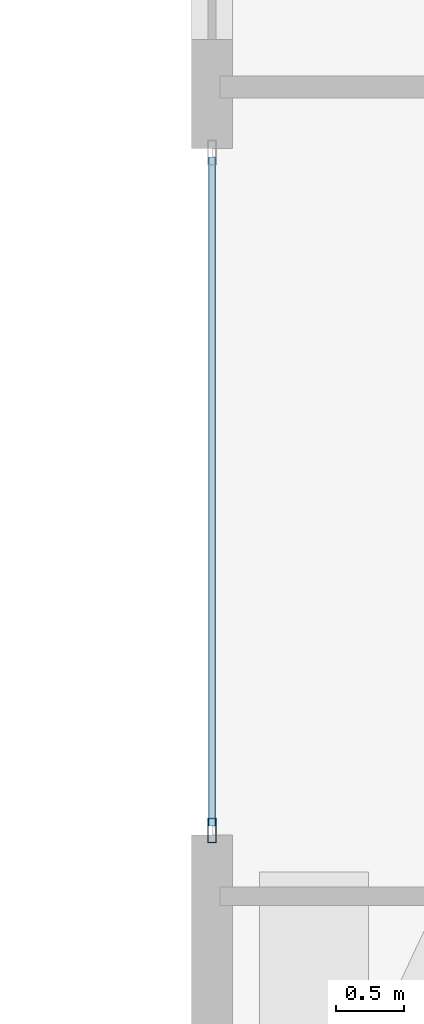
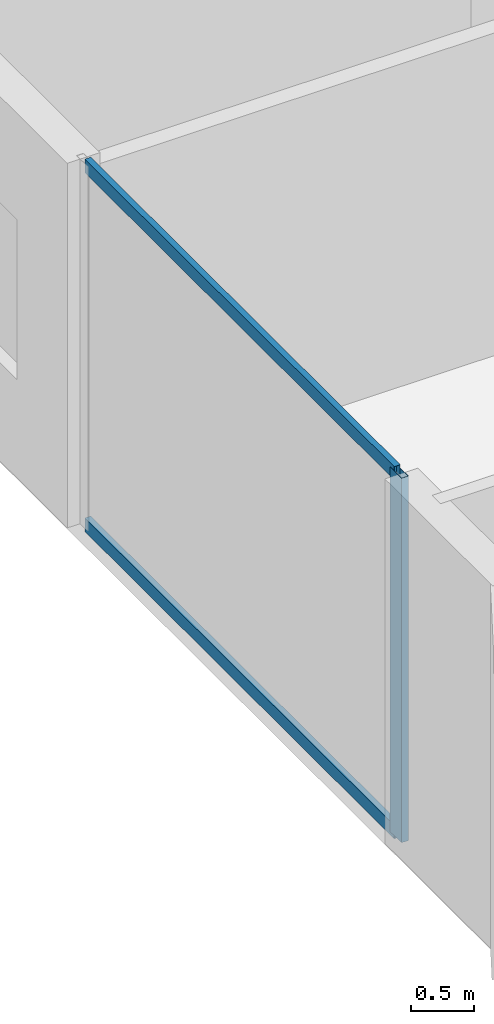
# One storey, part 7 of 33: 3 members, 1 element without a shape of its own.
"""IFC4 building model written with IfcOpenShell, lengths in metres."""

from ifc_helpers import new_model, si_unit, direction, frame, origin, origin_2d, place, context, subcontext, project, spatial, hollow_rectangle, extrude, material, layer, layer_set, material_profile, profile_set, type_object, element, aggregate, save


model = new_model("IFC4")

# Units and contexts
model_context = context("Model", 3, precision=1e-05, world=origin(), true_north=direction((0.0, 1.0)))
body_context = subcontext(model_context, "Body", "Model", "MODEL_VIEW")
ifc_project = project(units=[si_unit("LENGTHUNIT", "METRE"), si_unit("AREAUNIT", "SQUARE_METRE"), si_unit("VOLUMEUNIT", "CUBIC_METRE"), si_unit("PLANEANGLEUNIT", "RADIAN"), si_unit("MASSUNIT", "GRAM", prefix="KILO")], contexts=[model_context])

# Site, building, storey
site_placement = place(None, origin())
site = spatial("IfcSite", under=ifc_project, at=site_placement, CompositionType="ELEMENT")
building_placement = place(site_placement, origin())
building = spatial("IfcBuilding", under=site, at=building_placement, Name="Zuhayl Quay Hotel", CompositionType="ELEMENT")
storey_placement = place(building_placement, frame((0.0, 0.0, 222.39990234375)))
storey = spatial("IfcBuildingStorey", under=building, at=storey_placement, Name="L56", CompositionType="ELEMENT", Elevation=222.39990234375)

# Curtain wall, members
ifc_material_1 = material(Name="Anodised Aluminium 6063-T6", Category="aluminium")
ifc_layer = layer(ifc_material_1, 0.175048828125, Name="Anodised Aluminium 6063-T6", Category="aluminium")
ifc_layer_set = layer_set([ifc_layer], Name="Anodised Aluminium 6063-T6")
curtain_wall_type = type_object("IfcCurtainWallType", Name="CW_SYS_Z3", PredefinedType="USERDEFINED", material=ifc_layer_set)
curtain_wall_placement = place(storey_placement, origin())
curtain_wall = element("IfcCurtainWall", 1, at=curtain_wall_placement, inside=storey, type_object=curtain_wall_type, Name="L56 Curtain Wall ENV_L56_E05_CW1", ObjectType="UNITISED CURTAIN WALL", PredefinedType="USERDEFINED")
ifc_material_2 = material(Name="Black-anodised aluminium 6063-T6", Category="aluminium")
ifc_material_profile_1 = material_profile(ifc_material_2, hollow_rectangle(XDim=0.06494140625, YDim=0.179931640625, WallThickness=0.00341796875, at=origin_2d()), Name="ALU180X65")
ifc_profile_set_1 = profile_set([ifc_material_profile_1], Name="Black-anodised aluminium 6063-T6")
member_type_1 = type_object("IfcMemberType", Name="MB_CW_MUL_180", PredefinedType="MULLION", material=ifc_profile_set_1)
member_1_placement = place(storey_placement, frame((-22.10009765625, 19.54248046875, 0.0), z_axis=(0.0, 0.0, 1.0), x_axis=(-1.0, 0.0, 0.0)))
member_1 = element("IfcMember", 2, at=member_1_placement, type_object=member_type_1, Name="CW-Z3 mullion 1", PredefinedType="MULLION", context=body_context, shape_type="SweptSolid", body=[
    extrude(hollow_rectangle(XDim=0.06494140625, YDim=0.179931640625, WallThickness=0.00341796875, at=origin_2d()), origin(), (0.0, 0.0, 1.0), 3.530029296875),
])
ifc_material_profile_2 = material_profile(ifc_material_2, hollow_rectangle(XDim=0.054931640625, YDim=0.1298828125, WallThickness=0.0029296875, at=origin_2d()), Name="ALU130X55")
ifc_profile_set_2 = profile_set([ifc_material_profile_2], Name="Black-anodised aluminium 6063-T6")
member_type_2 = type_object("IfcMemberType", Name="MB_CW_TRN_130", PredefinedType="USERDEFINED", material=ifc_profile_set_2)
member_2_placement = place(storey_placement, frame((-22.10009765625, 19.574951171875, 0.027587890625), z_axis=(0.0, 1.0, 0.0), x_axis=(-1.0, 0.0, 0.0)))
member_2 = element("IfcMember", 3, at=member_2_placement, type_object=member_type_2, Name="CW-Z3 transom 1.1", ObjectType="TRANSOM", PredefinedType="USERDEFINED", context=body_context, shape_type="SweptSolid", body=[
    extrude(hollow_rectangle(XDim=0.054931640625, YDim=0.1298828125, WallThickness=0.0029296875, at=origin_2d()), origin(), (0.0, 0.0, 1.0), 4.91015625),
])
member_3_placement = place(storey_placement, frame((-22.10009765625, 19.574951171875, 3.502685546875), z_axis=(0.0, 1.0, 0.0), x_axis=(-1.0, 0.0, 0.0)))
member_3 = element("IfcMember", 4, at=member_3_placement, type_object=member_type_2, Name="CW-Z3 transom 1.2", ObjectType="TRANSOM", PredefinedType="USERDEFINED", context=body_context, shape_type="SweptSolid", body=[
    extrude(hollow_rectangle(XDim=0.054931640625, YDim=0.1298828125, WallThickness=0.0029296875, at=origin_2d()), origin(), (0.0, 0.0, 1.0), 4.91015625),
])
aggregate(curtain_wall, [member_1, member_2, member_3])

save(model, "model.ifc")
